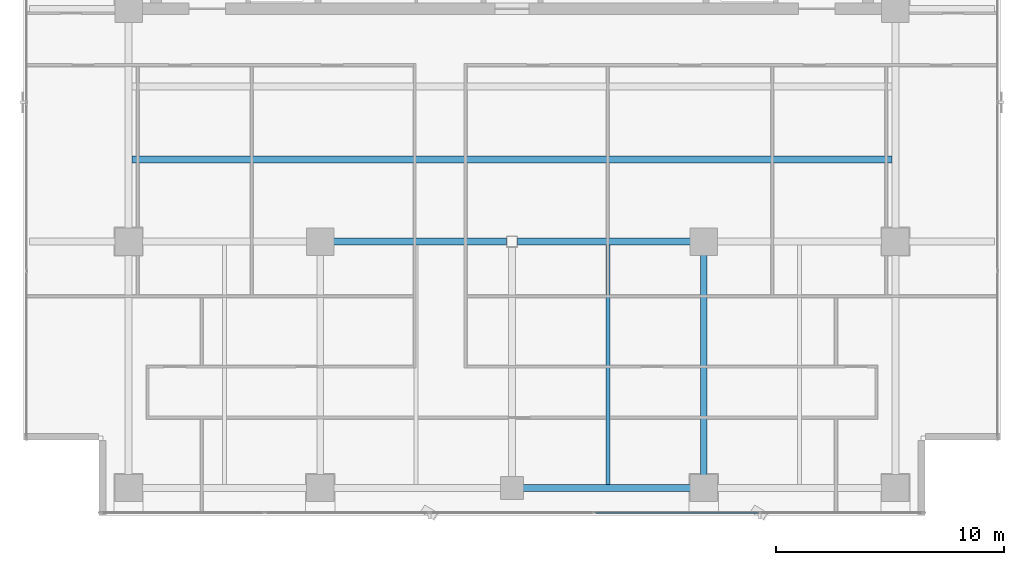
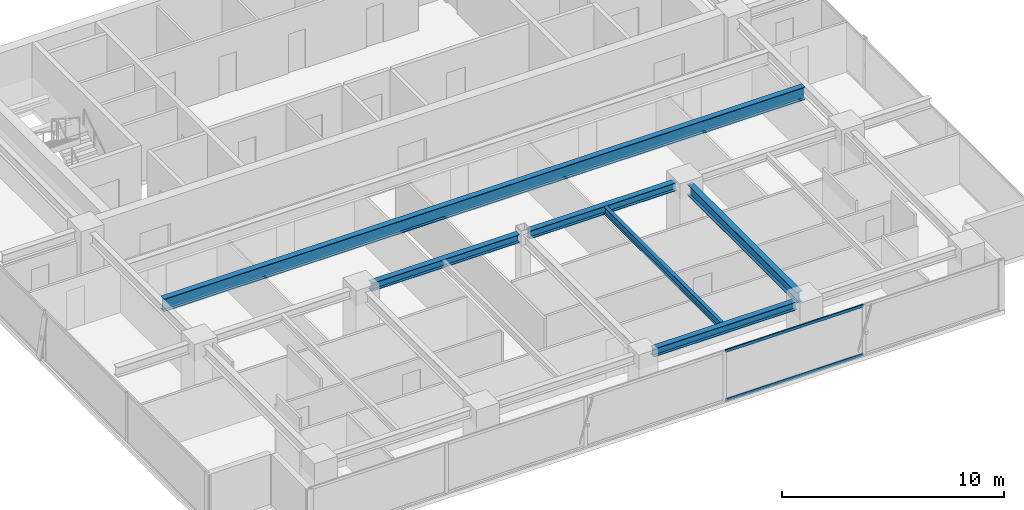
# One storey, part 6 of 23: 6 beams, 2 members, 1 element without a shape of its own.
"""IFC4 building model written with IfcOpenShell, lengths in metres."""

import ifcopenshell
import ifcopenshell.guid

model = None  # the IFC model being written
_history = None  # IfcOwnerHistory: only IFC2X3 demands one
_inside = {}  # id of a spatial element -> (the spatial element, [elements in it])
_under = {}  # id of a project, library or spatial element -> (it, [spatial elements below it])
_declared = {}  # id of a project -> (the project, [libraries it declares])
_typed = {}  # id of a type object -> (the type object, [elements of that type])
_made_of = {}  # id of a material, layer set ... -> (it, [elements and type objects made of it])


def new_model(schema):
    """Start an empty IFC model of exactly this schema.

    Asked for "IFC4X3", IfcOpenShell would pick the latest addendum, in which some entities
    have other attributes; the version numbers below select the first issue.
    IFC2X3 requires an IfcOwnerHistory on every rooted entity: one is made here for all.
    """
    global model, _history
    if schema == "IFC4X3":
        model = ifcopenshell.file(schema_version=(4, 3, 0, 0))
    else:
        model = ifcopenshell.file(schema=schema)
    _inside.clear()
    _under.clear()
    _declared.clear()
    _typed.clear()
    _made_of.clear()
    _history = None
    if model.schema == "IFC2X3":
        org = make("IfcOrganization", Name="unknown")
        user = make(
            "IfcPersonAndOrganization",
            ThePerson=make("IfcPerson", FamilyName="unknown"),
            TheOrganization=org,
        )
        app = make(
            "IfcApplication",
            ApplicationDeveloper=org,
            Version="unknown",
            ApplicationFullName="unknown",
            ApplicationIdentifier="unknown",
        )
        _history = make(
            "IfcOwnerHistory",
            OwningUser=user,
            OwningApplication=app,
            ChangeAction="ADDED",
            CreationDate=0,
        )
    return model


def make(cls, **values):
    """One entity of the class cls with the attributes given. An attribute that is None is left unset."""
    return model.create_entity(
        cls, **{name: value for name, value in values.items() if value is not None}
    )


def rooted(cls, **values):
    """An entity with a GlobalId (a new one), such as an element, a storey or a relation."""
    return make(cls, GlobalId=ifcopenshell.guid.new(), OwnerHistory=_history, **values)


def si_unit(unit_type, name, prefix=None):
    """IfcSIUnit, for example si_unit("LENGTHUNIT", "METRE", prefix="MILLI")."""
    return make("IfcSIUnit", UnitType=unit_type, Prefix=prefix, Name=name)


def assignment(units):
    """IfcUnitAssignment: the units of a project."""
    return None if units is None else make("IfcUnitAssignment", Units=units)


def point(xyz):
    """IfcCartesianPoint."""
    return None if xyz is None else make("IfcCartesianPoint", Coordinates=xyz)


def direction(xyz):
    """IfcDirection."""
    return None if xyz is None else make("IfcDirection", DirectionRatios=xyz)


def frame(location, z_axis=None, x_axis=None):
    """IfcAxis2Placement3D, a coordinate frame: its origin and axes. An axis left out is left unset."""
    return make(
        "IfcAxis2Placement3D",
        Location=point(location),
        Axis=direction(z_axis),
        RefDirection=direction(x_axis),
    )


def frame_2d(location, x_axis=None):
    """IfcAxis2Placement2D, a coordinate frame in the plane: its origin and x axis."""
    return make(
        "IfcAxis2Placement2D", Location=point(location), RefDirection=direction(x_axis)
    )


def origin():
    """The frame at (0, 0, 0) with its axes left unset."""
    return frame((0.0, 0.0, 0.0))


def origin_2d():
    """The frame at (0, 0) in the plane with its x axis left unset."""
    return frame_2d((0.0, 0.0))


def place(relative_to, where):
    """IfcLocalPlacement: puts the frame where relative to a parent placement (None: the world)."""
    return make(
        "IfcLocalPlacement", PlacementRelTo=relative_to, RelativePlacement=where
    )


def context(
    kind, dimensions, precision=None, world=None, true_north=None, identifier=None
):
    """IfcGeometricRepresentationContext, for example the 3D "Model" context."""
    return make(
        "IfcGeometricRepresentationContext",
        ContextIdentifier=identifier,
        ContextType=kind,
        CoordinateSpaceDimension=dimensions,
        Precision=precision,
        WorldCoordinateSystem=world,
        TrueNorth=true_north,
    )


def subcontext(parent, identifier, kind, view, scale=None):
    """IfcGeometricRepresentationSubContext, for example "Body" below "Model"."""
    return make(
        "IfcGeometricRepresentationSubContext",
        ContextIdentifier=identifier,
        ContextType=kind,
        ParentContext=parent,
        TargetScale=scale,
        TargetView=view,
    )


def project(units=None, contexts=None):
    """IfcProject with its units and contexts."""
    return rooted(
        "IfcProject",
        Name="project",
        RepresentationContexts=contexts,
        UnitsInContext=assignment(units),
    )


def spatial(cls, under=None, at=None, **own):
    """A site, building, storey or space (cls), placed at a placement, below another one or the project."""
    s = rooted(cls, ObjectPlacement=at, **own)
    if under is not None:
        _under.setdefault(under.id(), (under, []))[1].append(s)
    return s


def profile(cls, at=None, kind="AREA", **sizes):
    """A parametric profile (cls). Its sizes go by their IFC names, for example OverallWidth=200.0."""
    return make(cls, ProfileType=kind, Position=at, **sizes)


def hollow_rectangle(**sizes):
    """IfcRectangleHollowProfileDef."""
    return profile("IfcRectangleHollowProfileDef", **sizes)


def i_section(**sizes):
    """IfcIShapeProfileDef."""
    return profile("IfcIShapeProfileDef", **sizes)


def extrude(swept, where, along, depth):
    """IfcExtrudedAreaSolid: the profile swept, set in the frame where, extruded along a direction by depth."""
    return make(
        "IfcExtrudedAreaSolid",
        SweptArea=swept,
        Position=where,
        ExtrudedDirection=direction(along),
        Depth=depth,
    )


def shape(context_of_items, identifier, shape_type, items):
    """IfcShapeRepresentation: the items that make up one representation, for example the "Body"."""
    return make(
        "IfcShapeRepresentation",
        ContextOfItems=context_of_items,
        RepresentationIdentifier=identifier,
        RepresentationType=shape_type,
        Items=items,
    )


def source(mapping_origin, context_of_items, identifier, shape_type, items):
    """IfcRepresentationMap: a shape defined once, which mapped items show again and again."""
    return make(
        "IfcRepresentationMap",
        MappingOrigin=mapping_origin,
        MappedRepresentation=shape(context_of_items, identifier, shape_type, items),
    )


def transform(
    local_origin,
    x_axis=None,
    y_axis=None,
    z_axis=None,
    scale=None,
    scale2=None,
    scale3=None,
    uniform=True,
):
    """IfcCartesianTransformationOperator3D, or its non-uniform kind. x_axis, y_axis, z_axis: its Axis1, 2, 3."""
    if uniform:
        return make(
            "IfcCartesianTransformationOperator3D",
            Axis1=direction(x_axis),
            Axis2=direction(y_axis),
            LocalOrigin=point(local_origin),
            Scale=scale,
            Axis3=direction(z_axis),
        )
    return make(
        "IfcCartesianTransformationOperator3DnonUniform",
        Axis1=direction(x_axis),
        Axis2=direction(y_axis),
        LocalOrigin=point(local_origin),
        Scale=scale,
        Axis3=direction(z_axis),
        Scale2=scale2,
        Scale3=scale3,
    )


def mapped(mapping_source, mapping_target):
    """IfcMappedItem: shows the shape of a source again, moved by a transform."""
    return make(
        "IfcMappedItem", MappingSource=mapping_source, MappingTarget=mapping_target
    )


def material(Name=None, Category=None):
    """IfcMaterial."""
    return make("IfcMaterial", Name=Name, Category=Category)


def layer(
    of_material, thickness, ventilated=None, Name=None, Category=None, Priority=None
):
    """IfcMaterialLayer: one layer of a wall or slab, of a material (None: an air gap)."""
    return make(
        "IfcMaterialLayer",
        Material=of_material,
        LayerThickness=thickness,
        IsVentilated=ventilated,
        Name=Name,
        Category=Category,
        Priority=Priority,
    )


def layer_set(layers, Name=None):
    """IfcMaterialLayerSet."""
    return make("IfcMaterialLayerSet", MaterialLayers=layers, LayerSetName=Name)


def material_profile(
    of_material, cross_section, Name=None, Category=None, Priority=None
):
    """IfcMaterialProfile: a cross section and its material."""
    return make(
        "IfcMaterialProfile",
        Name=Name,
        Material=of_material,
        Profile=cross_section,
        Priority=Priority,
        Category=Category,
    )


def profile_set(profiles, Name=None, composite=None):
    """IfcMaterialProfileSet."""
    return make(
        "IfcMaterialProfileSet",
        Name=Name,
        MaterialProfiles=profiles,
        CompositeProfile=composite,
    )


def made_of(thing, what):
    """Note that an element or type object is made of a material, layer set ...; save() writes the relation."""
    if what is not None:
        _made_of.setdefault(what.id(), (what, []))[1].append(thing)
    return thing


def type_object(cls, material=None, **own):
    """A type object (cls), such as IfcWallType, which elements share."""
    return made_of(rooted(cls, **own), material)


def element(
    cls,
    number,
    at=None,
    inside=None,
    cuts=None,
    type_object=None,
    material=None,
    context=None,
    identifier="Body",
    shape_type=None,
    held_by="IfcProductDefinitionShape",
    body=None,
    shapes=None,
    **own,
):
    """One element of the class cls, such as IfcWall. Its Tag is "e" and its number.

    at: its placement. inside: the storey or other place that contains it. cuts: it is an
    opening in that element (IfcRelVoidsElement). A single representation is given by context,
    identifier, shape_type and body (its items); several are given by shapes. held_by: the class
    of the entity that holds the representations. save() writes the other relations.
    """
    e = rooted(cls, Tag="e%d" % number, ObjectPlacement=at, **own)
    if body is not None:
        shapes = [shape(context, identifier, shape_type, body)]
    if shapes is not None:
        e.Representation = make(held_by, Representations=shapes)
    if inside is not None:
        _inside.setdefault(inside.id(), (inside, []))[1].append(e)
    if cuts is not None:
        rooted(
            "IfcRelVoidsElement", RelatingBuildingElement=cuts, RelatedOpeningElement=e
        )
    if type_object is not None:
        _typed.setdefault(type_object.id(), (type_object, []))[1].append(e)
    return made_of(e, material)


def aggregate(whole, parts):
    """IfcRelAggregates: a whole, such as a stair, and the parts it consists of."""
    return rooted("IfcRelAggregates", RelatingObject=whole, RelatedObjects=parts)


def save(model, path):
    """Write the relations noted so far, then the file.

    IfcRelAggregates (storeys below a building ...), IfcRelContainedInSpatialStructure (elements
    in a storey), IfcRelDefinesByType, IfcRelAssociatesMaterial and IfcRelDeclares: one each for
    every whole, place, type object, material and project.
    """
    for whole, parts in _under.values():
        aggregate(whole, parts)
    for where, things in _inside.values():
        rooted(
            "IfcRelContainedInSpatialStructure",
            RelatedElements=things,
            RelatingStructure=where,
        )
    for kind, things in _typed.values():
        rooted("IfcRelDefinesByType", RelatedObjects=things, RelatingType=kind)
    for what, things in _made_of.values():
        rooted("IfcRelAssociatesMaterial", RelatedObjects=things, RelatingMaterial=what)
    for by, libraries in _declared.values():
        rooted("IfcRelDeclares", RelatingContext=by, RelatedDefinitions=libraries)
    model.write(path)


model = new_model("IFC4")

# Units and contexts
model_context = context("Model", 3, precision=1e-05, world=origin(), true_north=direction((0.0, 1.0)))
body_context = subcontext(model_context, "Body", "Model", "MODEL_VIEW")
ifc_project = project(units=[si_unit("LENGTHUNIT", "METRE"), si_unit("AREAUNIT", "SQUARE_METRE"), si_unit("VOLUMEUNIT", "CUBIC_METRE"), si_unit("PLANEANGLEUNIT", "RADIAN"), si_unit("MASSUNIT", "GRAM", prefix="KILO")], contexts=[model_context])

# Site, building, storey
site_placement = place(None, origin())
site = spatial("IfcSite", under=ifc_project, at=site_placement, CompositionType="ELEMENT")
building_placement = place(site_placement, origin())
building = spatial("IfcBuilding", under=site, at=building_placement, Name="Sumidabori Civic Tower", CompositionType="ELEMENT")
storey_placement = place(building_placement, frame((0.0, 0.0, 275.60009765625)))
storey = spatial("IfcBuildingStorey", under=building, at=storey_placement, Name="L72", CompositionType="ELEMENT", Elevation=275.60009765625)

# Beams
ifc_material_1 = material(Name="Steel SN490", Category="steel")
ifc_material_profile_1 = material_profile(ifc_material_1, i_section(OverallWidth=0.300048828125, OverallDepth=0.60009765625, WebThickness=0.015380859375, FlangeThickness=0.030029296875, at=origin_2d()), Name="HE 600 B")
ifc_profile_set_1 = profile_set([ifc_material_profile_1], Name="Steel SN490")
beam_type_1 = type_object("IfcBeamType", Name="BM-GIRD-600", PredefinedType="BEAM", material=ifc_profile_set_1)
shared_shape_1 = source(origin(), body_context, "Body", "SweptSolid", [
    extrude(i_section(OverallWidth=0.300048828125, OverallDepth=0.60009765625, WebThickness=0.015380859375, FlangeThickness=0.030029296875, at=origin_2d()), origin(), (0.0, 0.0, 1.0), 9.840087890625),
])
beam_1_placement = place(storey_placement, frame((8.39990234375, -10.320068359375, 3.06982421875), z_axis=(0.0, 1.0, 0.0), x_axis=(-1.0, 0.0, 0.0)))
element("IfcBeam", 1, at=beam_1_placement, inside=storey, type_object=beam_type_1, Name="Primary Girder L72 GY-14", PredefinedType="BEAM", context=body_context, shape_type="MappedRepresentation", body=[
    mapped(shared_shape_1, transform((0.0, 0.0, 0.0), x_axis=(1.0, 0.0, 0.0), y_axis=(0.0, 1.0, 0.0), z_axis=(0.0, 0.0, 1.0), scale=1.0)),
])
ifc_material_profile_2 = material_profile(ifc_material_1, i_section(OverallWidth=0.300048828125, OverallDepth=0.699951171875, WebThickness=0.01708984375, FlangeThickness=0.031982421875, at=origin_2d()), Name="HE 700 B")
ifc_profile_set_2 = profile_set([ifc_material_profile_2], Name="Steel SN490")
beam_type_2 = type_object("IfcBeamType", Name="BM-GIRD-700", PredefinedType="BEAM", material=ifc_profile_set_2)
shared_shape_2 = source(origin(), body_context, "Body", "SweptSolid", [
    extrude(i_section(OverallWidth=0.300048828125, OverallDepth=0.699951171875, WebThickness=0.01708984375, FlangeThickness=0.031982421875, at=origin_2d()), origin(), (0.0, 0.0, 1.0), 33.2998046875),
])
beam_2_placement = place(storey_placement, frame((-16.64990234375, 3.60009765625, 3.02001953125), z_axis=(1.0, 0.0, 0.0), x_axis=(0.0, 1.0, 0.0)))
element("IfcBeam", 2, at=beam_2_placement, inside=storey, type_object=beam_type_2, Name="North Bay Floor Beam L72 JSTN-22", PredefinedType="BEAM", context=body_context, shape_type="MappedRepresentation", body=[
    mapped(shared_shape_2, transform((0.0, 0.0, 0.0), x_axis=(1.0, 0.0, 0.0), y_axis=(0.0, 1.0, 0.0), z_axis=(0.0, 0.0, 1.0), scale=1.0)),
])
ifc_material_profile_3 = material_profile(ifc_material_1, i_section(OverallWidth=0.300048828125, OverallDepth=0.449951171875, WebThickness=0.013916015625, FlangeThickness=0.02587890625, at=origin_2d()), Name="HE 450 B")
ifc_profile_set_3 = profile_set([ifc_material_profile_3], Name="Steel SN490")
beam_type_3 = type_object("IfcBeamType", Name="BM-GIRD-450", PredefinedType="BEAM", material=ifc_profile_set_3)
shared_shape_3 = source(origin(), body_context, "Body", "SweptSolid", [
    extrude(i_section(OverallWidth=0.300048828125, OverallDepth=0.449951171875, WebThickness=0.013916015625, FlangeThickness=0.02587890625, at=origin_2d()), origin(), (0.0, 0.0, 1.0), 7.43994140625),
])
beam_3_placement = place(storey_placement, frame((0.47998046875, -10.800048828125, 3.14501953125), z_axis=(1.0, 0.0, 0.0), x_axis=(0.0, 1.0, 0.0)))
element("IfcBeam", 3, at=beam_3_placement, inside=storey, type_object=beam_type_3, Name="Primary Girder L72 GX-03", PredefinedType="BEAM", context=body_context, shape_type="MappedRepresentation", body=[
    mapped(shared_shape_3, transform((0.0, 0.0, 0.0), x_axis=(1.0, 0.0, 0.0), y_axis=(0.0, 1.0, 0.0), z_axis=(0.0, 0.0, 1.0), scale=1.0)),
])
shared_shape_4 = source(origin(), body_context, "Body", "SweptSolid", [
    extrude(i_section(OverallWidth=0.300048828125, OverallDepth=0.449951171875, WebThickness=0.013916015625, FlangeThickness=0.02587890625, at=origin_2d()), origin(), (0.0, 0.0, 1.0), 7.669921875),
])
for number, where, z_axis, x_axis, name in (
    (4, (-7.919921875, 0.0, 3.14501953125), (1.0, 0.0, 0.0), (0.0, 1.0, 0.0), "Primary Girder L72 GX-06"),
    (5, (0.25, 0.0, 3.14501953125), (1.0, 0.0, 0.0), (0.0, 1.0, 0.0), "Primary Girder L72 GX-07"),
):
    element("IfcBeam", number, at=place(storey_placement, frame(where, z_axis=z_axis, x_axis=x_axis)), inside=storey, type_object=beam_type_3, Name=name, PredefinedType="BEAM", context=body_context, shape_type="MappedRepresentation", body=[
        mapped(shared_shape_4, transform((0.0, 0.0, 0.0), x_axis=(1.0, 0.0, 0.0), y_axis=(0.0, 1.0, 0.0), z_axis=(0.0, 0.0, 1.0), scale=1.0)),
    ])
ifc_material_profile_4 = material_profile(ifc_material_1, i_section(OverallWidth=0.179931640625, OverallDepth=0.39990234375, WebThickness=0.008544921875, FlangeThickness=0.013427734375, at=origin_2d()), Name="IPE 400")
ifc_profile_set_4 = profile_set([ifc_material_profile_4], Name="Steel SN490")
beam_type_4 = type_object("IfcBeamType", Name="BM-JST-400", PredefinedType="JOIST", material=ifc_profile_set_4)
shared_shape_5 = source(origin(), body_context, "Body", "SweptSolid", [
    extrude(i_section(OverallWidth=0.179931640625, OverallDepth=0.39990234375, WebThickness=0.008544921875, FlangeThickness=0.013427734375, at=origin_2d()), origin(), (0.0, 0.0, 1.0), 10.5),
])
beam_4_placement = place(storey_placement, frame((4.199951171875, -10.64990234375, 3.169921875), z_axis=(0.0, 1.0, 0.0), x_axis=(-1.0, 0.0, 0.0)))
element("IfcBeam", 6, at=beam_4_placement, inside=storey, type_object=beam_type_4, Name="Upper Lens N-S Floor Joist L72 JSTV-26", PredefinedType="JOIST", context=body_context, shape_type="MappedRepresentation", body=[
    mapped(shared_shape_5, transform((0.0, 0.0, 0.0), x_axis=(1.0, 0.0, 0.0), y_axis=(0.0, 1.0, 0.0), z_axis=(0.0, 0.0, 1.0), scale=1.0)),
])

# Curtain wall, members
ifc_material_2 = material(Name="Anodised Bronze Aluminium AW-6063-T6", Category="aluminium")
ifc_layer = layer(ifc_material_2, 0.179931640625, Name="Anodised Bronze Aluminium AW-6063-T6")
ifc_layer_set = layer_set([ifc_layer], Name="Anodised Bronze Aluminium AW-6063-T6")
curtain_wall_type = type_object("IfcCurtainWallType", Name="CW-SYS-6", PredefinedType="NOTDEFINED", material=ifc_layer_set)
curtain_wall_placement = place(storey_placement, origin())
curtain_wall = element("IfcCurtainWall", 7, at=curtain_wall_placement, inside=storey, type_object=curtain_wall_type, Name="Curtain Wall CW:L72:R01", PredefinedType="NOTDEFINED")
ifc_material_profile_5 = material_profile(ifc_material_2, hollow_rectangle(XDim=0.06494140625, YDim=0.14990234375, WallThickness=0.0048828125, at=origin_2d()), Name="ALU TRANSOM 150x65")
ifc_profile_set_5 = profile_set([ifc_material_profile_5], Name="Anodised Bronze Aluminium AW-6063-T6")
member_type = type_object("IfcMemberType", Name="CW-TRN-150", PredefinedType="USERDEFINED", material=ifc_profile_set_5)
shared_shape_6 = source(origin(), body_context, "Body", "SweptSolid", [
    extrude(hollow_rectangle(XDim=0.06494140625, YDim=0.14990234375, WallThickness=0.0048828125, at=origin_2d()), origin(), (0.0, 0.0, 1.0), 7.157958984375),
])
member_1_placement = place(storey_placement, frame((3.64892578125, -11.8798828125, 0.032470703125), z_axis=(1.0, 0.0, 0.0), x_axis=(0.0, 1.0, 0.0)))
member_1 = element("IfcMember", 8, at=member_1_placement, type_object=member_type, Name="CW-6 transom 4.1", ObjectType="TRANSOM", PredefinedType="USERDEFINED", context=body_context, shape_type="MappedRepresentation", body=[
    mapped(shared_shape_6, transform((0.0, 0.0, 0.0), x_axis=(1.0, 0.0, 0.0), y_axis=(0.0, 1.0, 0.0), z_axis=(0.0, 0.0, 1.0), scale=1.0)),
])
member_2_placement = place(storey_placement, frame((3.64892578125, -11.8798828125, 2.71728515625), z_axis=(1.0, 0.0, 0.0), x_axis=(0.0, 1.0, 0.0)))
member_2 = element("IfcMember", 9, at=member_2_placement, type_object=member_type, Name="CW-6 transom 4.2", ObjectType="TRANSOM", PredefinedType="USERDEFINED", context=body_context, shape_type="MappedRepresentation", body=[
    mapped(shared_shape_6, transform((0.0, 0.0, 0.0), x_axis=(1.0, 0.0, 0.0), y_axis=(0.0, 1.0, 0.0), z_axis=(0.0, 0.0, 1.0), scale=1.0)),
])
aggregate(curtain_wall, [member_1, member_2])

save(model, "model.ifc")
